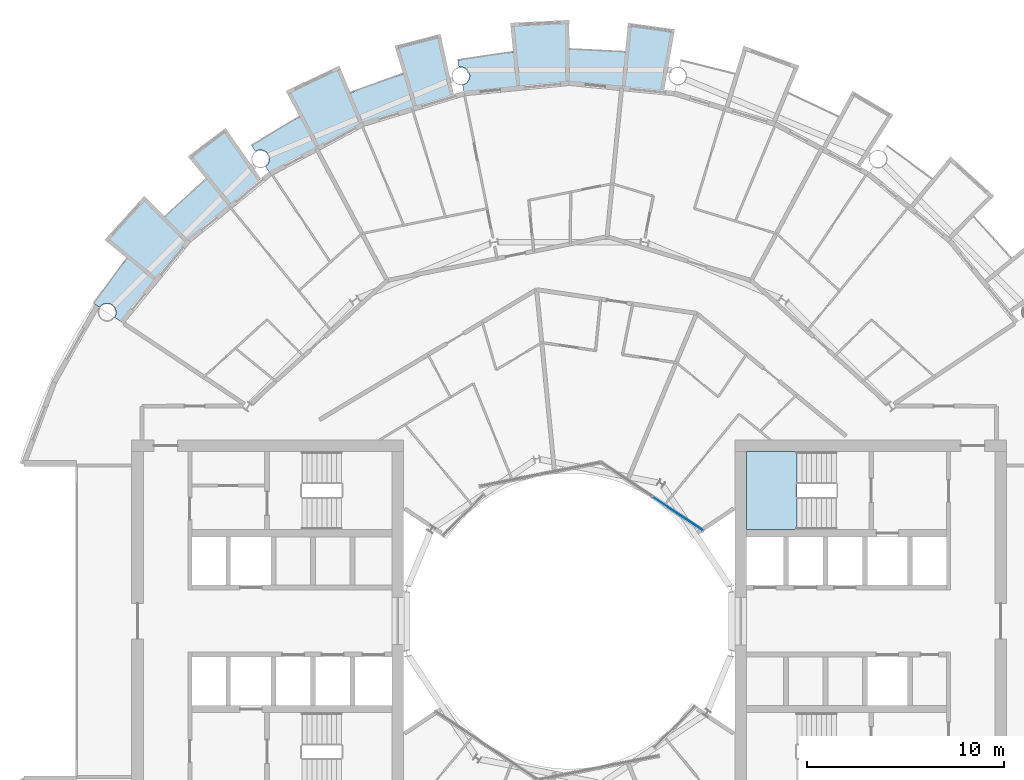
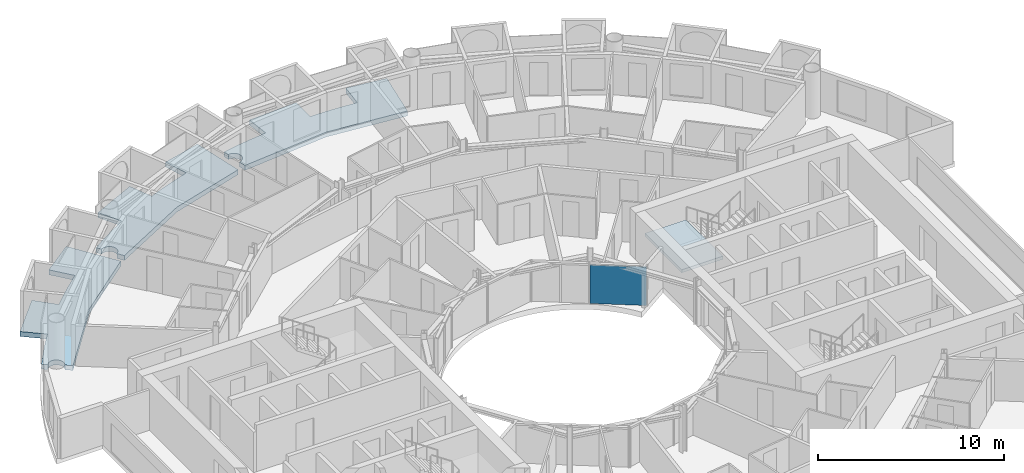
# One storey, part 12 of 27: 4 slabs, 1 plate, 2 elements without a shape of their own.
"""IFC4 building model written with IfcOpenShell, lengths in metres."""

from ifc_helpers import new_model, si_unit, direction, frame, origin, origin_2d, place, context, subcontext, project, spatial, polyline, rectangle, outline, extrude, material, layer, layer_set, type_object, element, aggregate, save


model = new_model("IFC4")

# Units and contexts
model_context = context("Model", 3, precision=1e-05, world=origin(), true_north=direction((0.0, 1.0)))
body_context = subcontext(model_context, "Body", "Model", "MODEL_VIEW")
ifc_project = project(units=[si_unit("LENGTHUNIT", "METRE"), si_unit("AREAUNIT", "SQUARE_METRE"), si_unit("VOLUMEUNIT", "CUBIC_METRE"), si_unit("PLANEANGLEUNIT", "RADIAN"), si_unit("MASSUNIT", "GRAM", prefix="KILO")], contexts=[model_context])

# Site, building, storey
site_placement = place(None, origin())
site = spatial("IfcSite", under=ifc_project, at=site_placement, CompositionType="ELEMENT")
building_placement = place(site_placement, origin())
building = spatial("IfcBuilding", under=site, at=building_placement, Name="Maasbend Ring Residences", CompositionType="ELEMENT")
storey_placement = place(building_placement, frame((0.0, 0.0, 136.050048828125)))
storey = spatial("IfcBuildingStorey", under=building, at=storey_placement, Name="L39", CompositionType="ELEMENT", Elevation=136.050048828125)

# Stair, slab
ifc_material_1 = material(Name="Concrete C40/50", Category="concrete")
stair_type = type_object("IfcStairType", Name="CORE STAIR 18 RISERS", PredefinedType="HALF_TURN_STAIR", material=ifc_material_1)
stair_placement = place(storey_placement, origin())
stair = element("IfcStair", 1, at=stair_placement, inside=storey, type_object=stair_type, Name="L39 Exit stair ST-E1", PredefinedType="HALF_TURN_STAIR")
ifc_material_2 = material(Name="Concrete C40/50", Category="concrete")
ifc_layer_1 = layer(ifc_material_2, 0.199951171875)
ifc_layer_set_1 = layer_set([ifc_layer_1], Name="Concrete C40/50")
slab_type_1 = type_object("IfcSlabType", Name="CORE STAIR LANDING 200", PredefinedType="LANDING", material=ifc_layer_set_1)
slab_1_placement = place(storey_placement, frame((0.0, 0.0, 1.324951171875)))
slab_1 = element("IfcSlab", 2, at=slab_1_placement, type_object=slab_type_1, Name="ST-E1 landing 1", PredefinedType="LANDING", context=body_context, shape_type="SweptSolid", body=[
    extrude(outline(polyline([(11.550048828125, 8.60009765625), (9.0, 8.60009765625), (9.0, 4.64990234375), (11.550048828125, 4.64990234375), (11.550048828125, 8.60009765625)])), origin(), (0.0, 0.0, 1.0), 0.199951171875),
])
aggregate(stair, [slab_1])

# Curtain wall, plate
ifc_material_3 = material(Name="Aluminium and clear glass", Category="aluminium")
ifc_layer_2 = layer(ifc_material_3, 0.179931640625)
ifc_layer_set_2 = layer_set([ifc_layer_2], Name="CW-W")
curtain_wall_type = type_object("IfcCurtainWallType", Name="CW-W", PredefinedType="NOTDEFINED", material=ifc_layer_set_2)
curtain_wall_placement = place(storey_placement, origin())
curtain_wall = element("IfcCurtainWall", 3, at=curtain_wall_placement, inside=storey, type_object=curtain_wall_type, Name="Well curtain wall N1", PredefinedType="NOTDEFINED")
ifc_material_4 = material(Name="Glass clear laminated", Category="glass")
ifc_layer_3 = layer(ifc_material_4, 0.031982421875)
ifc_layer_set_3 = layer_set([ifc_layer_3], Name="CWP-W")
plate_type = type_object("IfcPlateType", Name="CWP-W", PredefinedType="CURTAIN_PANEL", material=ifc_layer_set_3)
plate_placement = place(storey_placement, frame((5.51123046875, 5.44580078125, 0.0), z_axis=(0.0, 0.0, 1.0), x_axis=(-0.831469612303, 0.55557023302, 0.0)))
plate = element("IfcPlate", 4, at=plate_placement, type_object=plate_type, Name="Glass panel well face", PredefinedType="CURTAIN_PANEL", context=body_context, shape_type="SweptSolid", body=[
    extrude(rectangle(XDim=3.053955078125, YDim=0.031982421875, at=origin_2d()), origin(), (0.0, 0.0, 1.0), 2.530029296875),
])
aggregate(curtain_wall, [plate])

# Slabs
ifc_material_5 = material(Name="Concrete C40/50", Category="concrete")
ifc_layer_4 = layer(ifc_material_5, 0.199951171875)
ifc_layer_set_4 = layer_set([ifc_layer_4], Name="Concrete C40/50")
slab_type_2 = type_object("IfcSlabType", Name="SL-LOGGIA", PredefinedType="FLOOR", material=ifc_layer_set_4)
slab_2_placement = place(storey_placement, frame((0.0, 0.0, -0.35009765625)))
element("IfcSlab", 5, at=slab_2_placement, inside=storey, type_object=slab_type_2, Name="Loggia floor 1", PredefinedType="FLOOR", context=body_context, shape_type="SweptSolid", body=[
    extrude(outline(polyline([(-14.5, 25.114990234375), (-13.6708984375, 25.574951171875), (-13.6708984375, 25.575927734375), (-13.6708984375, 25.575927734375), (-13.6708984375, 25.575927734375), (-13.6708984375, 25.575927734375), (-13.6708984375, 25.575927734375), (-13.6708984375, 25.575927734375), (-13.6708984375, 25.575927734375), (-13.6708984375, 25.575927734375), (-13.6708984375, 25.575927734375), (-13.6708984375, 25.575927734375), (-13.6708984375, 25.575927734375), (-13.6708984375, 25.575927734375), (-13.6708984375, 25.575927734375), (-13.6708984375, 25.575927734375), (-13.6708984375, 25.575927734375), (-13.6708984375, 25.575927734375), (-14.3779296875, 26.89892578125), (-14.3779296875, 26.89892578125), (-14.3779296875, 26.89892578125), (-11.672119140625, 28.177978515625), (-11.672119140625, 28.177978515625), (-11.672119140625, 28.177978515625), (-11.097900390625, 26.79296875), (-11.097900390625, 26.79296875), (-11.097900390625, 26.79296875), (-11.097900390625, 26.79296875), (-11.097900390625, 26.79296875), (-11.097900390625, 26.79296875), (-11.097900390625, 26.79296875), (-11.097900390625, 26.79296875), (-11.097900390625, 26.79296875), (-11.097900390625, 26.79296875), (-11.097900390625, 26.79296875), (-11.097900390625, 26.79296875), (-11.097900390625, 26.79296875), (-11.097900390625, 26.79296875), (-11.096923828125, 26.79296875), (-11.096923828125, 26.79296875), (-11.096923828125, 26.79296875), (-10.215087890625, 27.14111328125), (-10.215087890625, 27.14111328125), (-9.322021484375, 27.4609375), (-9.322021484375, 27.4609375), (-8.4189453125, 27.7509765625), (-8.4189453125, 27.7509765625), (-8.4189453125, 27.7509765625), (-8.4189453125, 27.7509765625), (-8.4189453125, 27.7509765625), (-8.4189453125, 27.7509765625), (-8.41796875, 27.7509765625), (-8.41796875, 27.7509765625), (-8.41796875, 27.7509765625), (-8.41796875, 27.7509765625), (-8.41796875, 27.7509765625), (-8.41796875, 27.751953125), (-8.41796875, 27.751953125), (-8.41796875, 27.751953125), (-8.41796875, 27.751953125), (-8.41796875, 27.751953125), (-8.41796875, 27.751953125), (-8.85400390625, 29.18701171875), (-8.85400390625, 29.18701171875), (-8.85400390625, 29.18701171875), (-6.5400390625, 29.791015625), (-6.5400390625, 29.791015625), (-6.5400390625, 29.791015625), (-5.843994140625, 26.617919921875), (-5.843994140625, 26.617919921875), (-5.843994140625, 26.617919921875), (-7.886962890625, 25.9990234375), (-10.447021484375, 25.221923828125), (-10.447021484375, 25.221923828125), (-10.447021484375, 25.221923828125), (-12.806884765625, 23.9609375), (-15.1669921875, 22.698974609375), (-15.1669921875, 22.698974609375), (-15.1669921875, 22.698974609375), (-15.4130859375, 23.06689453125), (-15.404052734375, 23.073974609375), (-15.39501953125, 23.080078125), (-15.385986328125, 23.0869140625), (-15.376953125, 23.093994140625), (-15.368896484375, 23.10107421875), (-15.360107421875, 23.10888671875), (-15.35205078125, 23.115966796875), (-15.343994140625, 23.1240234375), (-15.3359375, 23.132080078125), (-15.327880859375, 23.139892578125), (-15.321044921875, 23.14892578125), (-15.31396484375, 23.156982421875), (-15.306884765625, 23.166015625), (-15.300048828125, 23.175048828125), (-15.29296875, 23.18408203125), (-15.287109375, 23.194091796875), (-15.281005859375, 23.202880859375), (-15.27490234375, 23.2119140625), (-15.26904296875, 23.221923828125), (-15.263916015625, 23.23193359375), (-15.259033203125, 23.241943359375), (-15.25390625, 23.251953125), (-15.2490234375, 23.261962890625), (-15.2451171875, 23.27294921875), (-15.240966796875, 23.282958984375), (-15.237060546875, 23.29296875), (-15.23291015625, 23.303955078125), (-15.22998046875, 23.31494140625), (-15.22705078125, 23.325927734375), (-15.22412109375, 23.3359375), (-15.220947265625, 23.346923828125), (-15.218994140625, 23.35791015625), (-15.217041015625, 23.368896484375), (-15.215087890625, 23.3798828125), (-15.214111328125, 23.39111328125), (-15.2119140625, 23.403076171875), (-15.2109375, 23.4140625), (-15.2109375, 23.425048828125), (-15.2099609375, 23.43603515625), (-15.2099609375, 23.447021484375), (-15.2099609375, 23.458984375), (-15.2109375, 23.469970703125), (-15.2109375, 23.48095703125), (-15.2119140625, 23.491943359375), (-15.214111328125, 23.5029296875), (-15.215087890625, 23.513916015625), (-15.217041015625, 23.52587890625), (-15.218994140625, 23.537109375), (-15.220947265625, 23.548095703125), (-15.22412109375, 23.55810546875), (-15.22705078125, 23.569091796875), (-15.22998046875, 23.580078125), (-15.23291015625, 23.591064453125), (-15.237060546875, 23.60107421875), (-15.240966796875, 23.612060546875), (-15.2451171875, 23.6220703125), (-15.2490234375, 23.633056640625), (-15.25390625, 23.64306640625), (-15.259033203125, 23.653076171875), (-15.263916015625, 23.6630859375), (-15.26904296875, 23.673095703125), (-15.27490234375, 23.681884765625), (-15.281005859375, 23.69189453125), (-15.287109375, 23.700927734375), (-15.29296875, 23.7109375), (-15.300048828125, 23.719970703125), (-15.306884765625, 23.72900390625), (-15.31396484375, 23.737060546875), (-15.321044921875, 23.74609375), (-15.327880859375, 23.75390625), (-15.3359375, 23.762939453125), (-15.343994140625, 23.77099609375), (-15.35205078125, 23.778076171875), (-15.360107421875, 23.785888671875), (-15.368896484375, 23.79296875), (-15.376953125, 23.801025390625), (-15.385986328125, 23.80810546875), (-15.39501953125, 23.81396484375), (-15.404052734375, 23.821044921875), (-15.4130859375, 23.826904296875), (-15.423095703125, 23.8330078125), (-15.431884765625, 23.839111328125), (-15.44189453125, 23.844970703125), (-15.451904296875, 23.85009765625), (-15.4619140625, 23.85595703125), (-15.471923828125, 23.861083984375), (-15.48193359375, 23.864990234375), (-15.491943359375, 23.8701171875), (-15.5029296875, 23.8740234375), (-15.512939453125, 23.8779296875), (-15.52392578125, 23.881103515625), (-15.533935546875, 23.885009765625), (-15.544921875, 23.887939453125), (-15.555908203125, 23.89111328125), (-15.56689453125, 23.89306640625), (-15.577880859375, 23.89599609375), (-15.589111328125, 23.89794921875), (-15.60009765625, 23.89892578125), (-15.611083984375, 23.90087890625), (-15.6220703125, 23.902099609375), (-15.633056640625, 23.903076171875), (-15.64501953125, 23.904052734375), (-15.656005859375, 23.904052734375), (-15.6669921875, 23.904052734375), (-15.677978515625, 23.904052734375), (-15.68994140625, 23.904052734375), (-15.700927734375, 23.903076171875), (-15.7119140625, 23.902099609375), (-15.722900390625, 23.90087890625), (-15.73388671875, 23.89892578125), (-15.7451171875, 23.89794921875), (-15.756103515625, 23.89599609375), (-15.76708984375, 23.89306640625), (-15.778076171875, 23.89111328125), (-15.7890625, 23.887939453125), (-15.800048828125, 23.885009765625), (-15.81005859375, 23.881103515625), (-15.821044921875, 23.8779296875), (-15.83203125, 23.8740234375), (-15.842041015625, 23.8701171875), (-15.85205078125, 23.864990234375), (-15.862060546875, 23.861083984375), (-15.873046875, 23.85595703125), (-15.883056640625, 23.85009765625), (-15.89208984375, 23.844970703125), (-15.902099609375, 23.839111328125), (-15.912109375, 23.8330078125), (-15.9208984375, 23.826904296875), (-16.112060546875, 24.113037109375), (-16.112060546875, 24.113037109375), (-16.112060546875, 24.113037109375), (-15.31396484375, 24.626953125), (-15.31396484375, 24.626953125), (-14.5, 25.114990234375), (-14.5, 25.114990234375)])), origin(), (0.0, 0.0, 1.0), 0.320068359375),
])
slab_3_placement = place(storey_placement, frame((0.0, 0.0, -0.35009765625)))
element("IfcSlab", 6, at=slab_3_placement, inside=storey, type_object=slab_type_2, Name="Loggia floor 3", PredefinedType="FLOOR", context=body_context, shape_type="SweptSolid", body=[
    extrude(outline(polyline([(-3.784912109375, 28.751953125), (-2.843017578125, 28.860107421875), (-2.843017578125, 28.860107421875), (-2.843017578125, 28.860107421875), (-2.843017578125, 28.860107421875), (-2.843017578125, 28.860107421875), (-2.843017578125, 28.860107421875), (-2.843017578125, 28.860107421875), (-2.843017578125, 28.860107421875), (-2.843017578125, 28.860107421875), (-2.843017578125, 28.861083984375), (-2.843017578125, 28.861083984375), (-2.843017578125, 28.861083984375), (-2.843017578125, 28.861083984375), (-2.843017578125, 28.861083984375), (-2.843017578125, 28.861083984375), (-2.843017578125, 28.861083984375), (-2.843017578125, 28.861083984375), (-2.989990234375, 30.35302734375), (-2.989990234375, 30.35302734375), (-2.989990234375, 30.35302734375), (0.0, 30.5), (0.0, 30.5), (0.0, 30.5), (0.0, 29.0), (0.0, 29.0), (0.0, 29.0), (0.0, 29.0), (0.0, 29.0), (0.0, 29.0), (0.0, 29.0), (0.0, 29.0), (0.0, 29.0), (0.0, 29.0), (0.0, 29.0), (0.0, 29.0), (0.0, 29.0), (0.0, 29.0), (0.0, 29.0), (0.0, 29.0), (0.0, 29.0), (0.948974609375, 28.98388671875), (0.948974609375, 28.98388671875), (1.89697265625, 28.93798828125), (1.89697265625, 28.93798828125), (2.842041015625, 28.860107421875), (2.842041015625, 28.860107421875), (2.842041015625, 28.860107421875), (2.842041015625, 28.860107421875), (2.842041015625, 28.860107421875), (2.842041015625, 28.860107421875), (2.842041015625, 28.860107421875), (2.842041015625, 28.860107421875), (2.842041015625, 28.861083984375), (2.842041015625, 28.861083984375), (2.842041015625, 28.861083984375), (2.842041015625, 28.861083984375), (2.842041015625, 28.861083984375), (2.843017578125, 28.861083984375), (2.843017578125, 28.861083984375), (2.843017578125, 28.861083984375), (2.843017578125, 28.861083984375), (2.989990234375, 30.35302734375), (2.989990234375, 30.35302734375), (2.989990234375, 30.35302734375), (5.35791015625, 30.02587890625), (5.35791015625, 30.02587890625), (5.35791015625, 30.02587890625), (4.7880859375, 26.827880859375), (4.7880859375, 26.827880859375), (4.7880859375, 26.827880859375), (2.6630859375, 27.0380859375), (0.0, 27.300048828125), (0.0, 27.300048828125), (0.0, 27.300048828125), (-2.6630859375, 27.0380859375), (-5.325927734375, 26.77490234375), (-5.325927734375, 26.77490234375), (-5.325927734375, 26.77490234375), (-5.412109375, 27.2099609375), (-5.412109375, 27.2099609375), (-5.40087890625, 27.2119140625), (-5.389892578125, 27.215087890625), (-5.3798828125, 27.218017578125), (-5.368896484375, 27.220947265625), (-5.35791015625, 27.22412109375), (-5.347900390625, 27.22802734375), (-5.3369140625, 27.23193359375), (-5.326904296875, 27.236083984375), (-5.31591796875, 27.239990234375), (-5.305908203125, 27.2451171875), (-5.2958984375, 27.25), (-5.285888671875, 27.2548828125), (-5.27587890625, 27.260009765625), (-5.26708984375, 27.26611328125), (-5.257080078125, 27.27197265625), (-5.248046875, 27.278076171875), (-5.238037109375, 27.283935546875), (-5.22900390625, 27.291015625), (-5.219970703125, 27.298095703125), (-5.2119140625, 27.304931640625), (-5.202880859375, 27.31201171875), (-5.195068359375, 27.319091796875), (-5.18603515625, 27.326904296875), (-5.177978515625, 27.3349609375), (-5.1708984375, 27.343017578125), (-5.1630859375, 27.35107421875), (-5.155029296875, 27.360107421875), (-5.14794921875, 27.367919921875), (-5.14111328125, 27.376953125), (-5.134033203125, 27.385986328125), (-5.1279296875, 27.39501953125), (-5.1220703125, 27.404052734375), (-5.114990234375, 27.4140625), (-5.110107421875, 27.423095703125), (-5.10400390625, 27.43310546875), (-5.097900390625, 27.443115234375), (-5.093017578125, 27.452880859375), (-5.087890625, 27.462890625), (-5.083984375, 27.472900390625), (-5.0791015625, 27.48291015625), (-5.074951171875, 27.493896484375), (-5.071044921875, 27.50390625), (-5.068115234375, 27.514892578125), (-5.06396484375, 27.52490234375), (-5.06103515625, 27.535888671875), (-5.05810546875, 27.547119140625), (-5.055908203125, 27.55810546875), (-5.052978515625, 27.569091796875), (-5.051025390625, 27.580078125), (-5.049072265625, 27.591064453125), (-5.048095703125, 27.60205078125), (-5.047119140625, 27.613037109375), (-5.0458984375, 27.6240234375), (-5.044921875, 27.635986328125), (-5.044921875, 27.64697265625), (-5.044921875, 27.657958984375), (-5.044921875, 27.6689453125), (-5.044921875, 27.680908203125), (-5.0458984375, 27.69189453125), (-5.047119140625, 27.702880859375), (-5.048095703125, 27.714111328125), (-5.049072265625, 27.72509765625), (-5.051025390625, 27.736083984375), (-5.052978515625, 27.7470703125), (-5.055908203125, 27.758056640625), (-5.05810546875, 27.76904296875), (-5.06103515625, 27.780029296875), (-5.06396484375, 27.791015625), (-5.068115234375, 27.801025390625), (-5.071044921875, 27.81201171875), (-5.074951171875, 27.822998046875), (-5.0791015625, 27.8330078125), (-5.083984375, 27.843017578125), (-5.087890625, 27.85302734375), (-5.093017578125, 27.864013671875), (-5.097900390625, 27.8740234375), (-5.10400390625, 27.883056640625), (-5.110107421875, 27.89306640625), (-5.114990234375, 27.903076171875), (-5.1220703125, 27.912109375), (-5.1279296875, 27.9208984375), (-5.134033203125, 27.929931640625), (-5.14111328125, 27.93896484375), (-5.14794921875, 27.947998046875), (-5.155029296875, 27.95703125), (-5.1630859375, 27.965087890625), (-5.1708984375, 27.972900390625), (-5.177978515625, 27.98095703125), (-5.18603515625, 27.989013671875), (-5.195068359375, 27.9970703125), (-5.202880859375, 28.00390625), (-5.2119140625, 28.010986328125), (-5.219970703125, 28.01806640625), (-5.22900390625, 28.02490234375), (-5.238037109375, 28.031982421875), (-5.248046875, 28.0380859375), (-5.257080078125, 28.0439453125), (-5.26708984375, 28.050048828125), (-5.27587890625, 28.055908203125), (-5.285888671875, 28.06103515625), (-5.2958984375, 28.06591796875), (-5.305908203125, 28.071044921875), (-5.31591796875, 28.075927734375), (-5.326904296875, 28.080078125), (-5.3369140625, 28.083984375), (-5.347900390625, 28.087890625), (-5.35791015625, 28.092041015625), (-5.368896484375, 28.094970703125), (-5.3798828125, 28.09912109375), (-5.389892578125, 28.10107421875), (-5.40087890625, 28.10400390625), (-5.412109375, 28.10595703125), (-5.423095703125, 28.10791015625), (-5.43408203125, 28.110107421875), (-5.446044921875, 28.112060546875), (-5.45703125, 28.113037109375), (-5.468017578125, 28.114013671875), (-5.47900390625, 28.114990234375), (-5.489990234375, 28.114990234375), (-5.501953125, 28.114990234375), (-5.512939453125, 28.114990234375), (-5.52392578125, 28.114990234375), (-5.534912109375, 28.114013671875), (-5.5458984375, 28.113037109375), (-5.556884765625, 28.112060546875), (-5.569091796875, 28.110107421875), (-5.580078125, 28.10791015625), (-5.591064453125, 28.10595703125), (-5.591064453125, 28.10595703125), (-5.657958984375, 28.443115234375), (-5.657958984375, 28.443115234375), (-5.657958984375, 28.443115234375), (-4.72412109375, 28.613037109375), (-4.72412109375, 28.613037109375), (-3.784912109375, 28.751953125), (-3.784912109375, 28.751953125)])), origin(), (0.0, 0.0, 1.0), 0.320068359375),
])
slab_4_placement = place(storey_placement, frame((0.0, 0.0, -0.35009765625)))
element("IfcSlab", 7, at=slab_4_placement, inside=storey, type_object=slab_type_2, Name="Loggia floor 4", PredefinedType="FLOOR", context=body_context, shape_type="SweptSolid", body=[
    extrude(outline(polyline([(-23.007080078125, 17.654052734375), (-22.41796875, 18.39697265625), (-22.41796875, 18.39697265625), (-22.41796875, 18.39697265625), (-22.41796875, 18.39697265625), (-22.41796875, 18.39697265625), (-22.41796875, 18.39697265625), (-22.41796875, 18.39697265625), (-22.41796875, 18.39697265625), (-22.41796875, 18.39697265625), (-22.41796875, 18.39697265625), (-22.41796875, 18.39697265625), (-22.41796875, 18.39794921875), (-22.41796875, 18.39794921875), (-22.41796875, 18.39794921875), (-22.41796875, 18.39794921875), (-22.41796875, 18.39794921875), (-22.41796875, 18.39794921875), (-23.576904296875, 19.34912109375), (-23.576904296875, 19.34912109375), (-23.576904296875, 19.34912109375), (-21.56689453125, 21.56689453125), (-21.56689453125, 21.56689453125), (-21.56689453125, 21.56689453125), (-20.506103515625, 20.506103515625), (-20.506103515625, 20.506103515625), (-20.506103515625, 20.506103515625), (-20.506103515625, 20.506103515625), (-20.506103515625, 20.506103515625), (-20.506103515625, 20.506103515625), (-20.506103515625, 20.506103515625), (-20.506103515625, 20.506103515625), (-20.506103515625, 20.506103515625), (-20.506103515625, 20.506103515625), (-20.506103515625, 20.506103515625), (-20.506103515625, 20.506103515625), (-20.506103515625, 20.506103515625), (-20.506103515625, 20.506103515625), (-20.506103515625, 20.506103515625), (-20.506103515625, 20.506103515625), (-20.506103515625, 20.506103515625), (-19.823974609375, 21.166015625), (-19.823974609375, 21.166015625), (-19.12109375, 21.802978515625), (-19.12109375, 21.802978515625), (-18.39794921875, 22.4169921875), (-18.39794921875, 22.4169921875), (-18.39794921875, 22.4169921875), (-18.39794921875, 22.4169921875), (-18.39794921875, 22.4169921875), (-18.39794921875, 22.4169921875), (-18.39794921875, 22.4169921875), (-18.39794921875, 22.4169921875), (-18.39794921875, 22.4169921875), (-18.39794921875, 22.4169921875), (-18.39794921875, 22.4169921875), (-18.39794921875, 22.4169921875), (-18.39794921875, 22.41796875), (-18.39794921875, 22.41796875), (-18.39794921875, 22.41796875), (-18.39794921875, 22.41796875), (-18.39794921875, 22.41796875), (-19.34912109375, 23.576904296875), (-19.34912109375, 23.576904296875), (-19.34912109375, 23.576904296875), (-17.44189453125, 25.02001953125), (-17.44189453125, 25.02001953125), (-17.44189453125, 25.02001953125), (-15.5849609375, 22.35595703125), (-15.5849609375, 22.35595703125), (-15.5849609375, 22.35595703125), (-17.236083984375, 21.001953125), (-19.303955078125, 19.303955078125), (-19.303955078125, 19.303955078125), (-19.303955078125, 19.303955078125), (-21.001953125, 17.236083984375), (-22.698974609375, 15.1669921875), (-22.698974609375, 15.1669921875), (-22.698974609375, 15.1669921875), (-23.06689453125, 15.4130859375), (-23.06689453125, 15.4130859375), (-23.06103515625, 15.423095703125), (-23.054931640625, 15.431884765625), (-23.050048828125, 15.44189453125), (-23.0439453125, 15.451904296875), (-23.0390625, 15.4619140625), (-23.033935546875, 15.471923828125), (-23.030029296875, 15.48193359375), (-23.02490234375, 15.491943359375), (-23.02099609375, 15.5029296875), (-23.01708984375, 15.512939453125), (-23.012939453125, 15.52392578125), (-23.010009765625, 15.533935546875), (-23.007080078125, 15.544921875), (-23.00390625, 15.555908203125), (-23.001953125, 15.56689453125), (-22.9990234375, 15.577880859375), (-22.9970703125, 15.589111328125), (-22.9951171875, 15.60009765625), (-22.993896484375, 15.611083984375), (-22.992919921875, 15.6220703125), (-22.991943359375, 15.633056640625), (-22.990966796875, 15.64501953125), (-22.990966796875, 15.656005859375), (-22.989990234375, 15.6669921875), (-22.990966796875, 15.677978515625), (-22.990966796875, 15.68994140625), (-22.991943359375, 15.700927734375), (-22.992919921875, 15.7119140625), (-22.993896484375, 15.722900390625), (-22.9951171875, 15.73388671875), (-22.9970703125, 15.7451171875), (-22.9990234375, 15.756103515625), (-23.001953125, 15.76708984375), (-23.00390625, 15.778076171875), (-23.007080078125, 15.7890625), (-23.010009765625, 15.800048828125), (-23.012939453125, 15.81005859375), (-23.01708984375, 15.821044921875), (-23.02099609375, 15.83203125), (-23.02490234375, 15.842041015625), (-23.030029296875, 15.85205078125), (-23.033935546875, 15.862060546875), (-23.0390625, 15.873046875), (-23.0439453125, 15.883056640625), (-23.050048828125, 15.89208984375), (-23.054931640625, 15.902099609375), (-23.06103515625, 15.912109375), (-23.06689453125, 15.9208984375), (-23.073974609375, 15.929931640625), (-23.080078125, 15.93896484375), (-23.0869140625, 15.947998046875), (-23.093994140625, 15.95703125), (-23.10107421875, 15.966064453125), (-23.10888671875, 15.97412109375), (-23.115966796875, 15.98193359375), (-23.1240234375, 15.989990234375), (-23.132080078125, 15.998046875), (-23.139892578125, 16.006103515625), (-23.14892578125, 16.012939453125), (-23.156982421875, 16.02001953125), (-23.166015625, 16.027099609375), (-23.175048828125, 16.033935546875), (-23.18408203125, 16.041015625), (-23.194091796875, 16.047119140625), (-23.202880859375, 16.052978515625), (-23.2119140625, 16.05908203125), (-23.221923828125, 16.06494140625), (-23.23193359375, 16.070068359375), (-23.241943359375, 16.074951171875), (-23.251953125, 16.080078125), (-23.261962890625, 16.0849609375), (-23.27294921875, 16.089111328125), (-23.282958984375, 16.093017578125), (-23.29296875, 16.096923828125), (-23.303955078125, 16.10107421875), (-23.31494140625, 16.10400390625), (-23.325927734375, 16.10791015625), (-23.3359375, 16.110107421875), (-23.346923828125, 16.113037109375), (-23.35791015625, 16.114990234375), (-23.368896484375, 16.116943359375), (-23.3798828125, 16.118896484375), (-23.39111328125, 16.12109375), (-23.403076171875, 16.1220703125), (-23.4140625, 16.123046875), (-23.425048828125, 16.1240234375), (-23.43603515625, 16.1240234375), (-23.447021484375, 16.1240234375), (-23.458984375, 16.1240234375), (-23.469970703125, 16.1240234375), (-23.48095703125, 16.123046875), (-23.491943359375, 16.1220703125), (-23.5029296875, 16.12109375), (-23.513916015625, 16.118896484375), (-23.52587890625, 16.116943359375), (-23.537109375, 16.114990234375), (-23.548095703125, 16.113037109375), (-23.55810546875, 16.110107421875), (-23.569091796875, 16.10791015625), (-23.580078125, 16.10400390625), (-23.591064453125, 16.10107421875), (-23.60107421875, 16.096923828125), (-23.612060546875, 16.093017578125), (-23.6220703125, 16.089111328125), (-23.633056640625, 16.0849609375), (-23.64306640625, 16.080078125), (-23.653076171875, 16.074951171875), (-23.6630859375, 16.070068359375), (-23.673095703125, 16.06494140625), (-23.681884765625, 16.05908203125), (-23.69189453125, 16.052978515625), (-23.700927734375, 16.047119140625), (-23.7109375, 16.041015625), (-23.719970703125, 16.033935546875), (-23.72900390625, 16.027099609375), (-23.737060546875, 16.02001953125), (-23.74609375, 16.012939453125), (-23.75390625, 16.006103515625), (-23.762939453125, 15.998046875), (-23.77099609375, 15.989990234375), (-23.778076171875, 15.98193359375), (-23.785888671875, 15.97412109375), (-23.79296875, 15.966064453125), (-23.801025390625, 15.95703125), (-23.80810546875, 15.947998046875), (-23.81396484375, 15.93896484375), (-23.821044921875, 15.929931640625), (-23.826904296875, 15.9208984375), (-23.826904296875, 15.9208984375), (-24.113037109375, 16.112060546875), (-24.113037109375, 16.112060546875), (-24.113037109375, 16.112060546875), (-23.572998046875, 16.89208984375), (-23.572998046875, 16.89208984375), (-23.007080078125, 17.654052734375), (-23.007080078125, 17.654052734375)])), origin(), (0.0, 0.0, 1.0), 0.320068359375),
])

save(model, "model.ifc")
